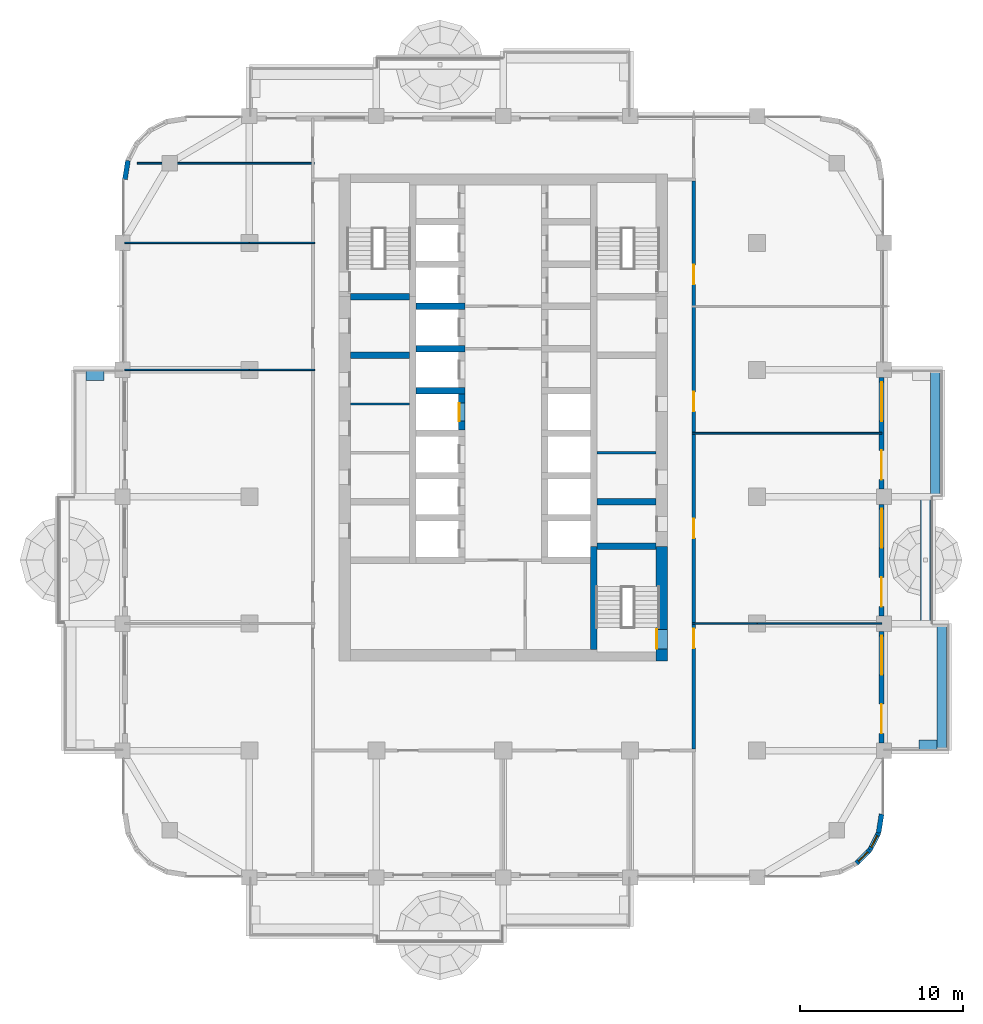
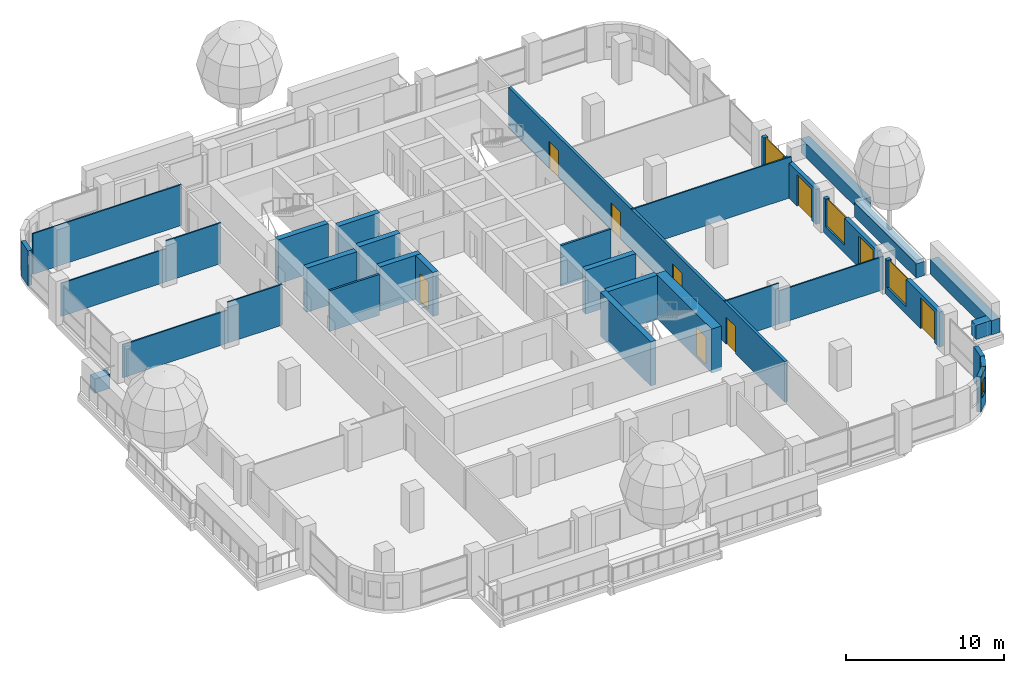
# One storey, part 12 of 21: 33 walls, 9 doors, 5 windows, 14 openings.
"""IFC4 building model written with IfcOpenShell, lengths in metres."""

from ifc_helpers import new_model, si_unit, direction, frame, frame_2d, origin, place, context, subcontext, project, spatial, rectangle, extrude, material, layer, layer_set, type_object, element, fill, save


model = new_model("IFC4")

# Units and contexts
model_context = context("Model", 3, precision=1e-05, world=origin(), true_north=direction((0.0, 1.0)))
body_context = subcontext(model_context, "Body", "Model", "MODEL_VIEW")
ifc_project = project(units=[si_unit("LENGTHUNIT", "METRE"), si_unit("AREAUNIT", "SQUARE_METRE"), si_unit("VOLUMEUNIT", "CUBIC_METRE"), si_unit("PLANEANGLEUNIT", "RADIAN"), si_unit("MASSUNIT", "GRAM", prefix="KILO")], contexts=[model_context])

# Site, building, storey
site_placement = place(None, origin())
site = spatial("IfcSite", under=ifc_project, at=site_placement, CompositionType="ELEMENT")
building_placement = place(site_placement, origin())
building = spatial("IfcBuilding", under=site, at=building_placement, Name="Ludao Terraces", CompositionType="ELEMENT")
storey_placement = place(building_placement, frame((0.0, 0.0, 71.60009765625)))
storey = spatial("IfcBuildingStorey", under=building, at=storey_placement, Name="L19", CompositionType="ELEMENT", Elevation=71.60009765625)

# Wall, opening, door
ifc_material_1 = material(Name="Concrete C70", Category="concrete")
ifc_layer_1 = layer(ifc_material_1, 0.699951171875)
ifc_layer_set_1 = layer_set([ifc_layer_1], Name="Core wall 700 C70")
wall_type_1 = type_object("IfcWallType", Name="Core wall 700 C70", PredefinedType="SOLIDWALL", material=ifc_layer_set_1)
wall_1_placement = place(storey_placement, frame((94.75, 54.89990234375, -0.25), z_axis=(0.0, 0.0, 1.0), x_axis=(0.0, 1.0, 0.0)))
wall_1 = element("IfcWall", 1, at=wall_1_placement, inside=storey, type_object=wall_type_1, Name="Core wall L19 outer-E-S3", PredefinedType="SOLIDWALL", context=body_context, shape_type="SweptSolid", body=[
    extrude(rectangle(XDim=7.050048828125, YDim=0.699951171875, at=frame_2d((3.52490234375, 0.0))), origin(), (0.0, 0.0, 1.0), 3.39990234375),
])
opening_1_placement = place(wall_1_placement, frame((0.75, 0.0, 0.25)))
opening_1 = element("IfcOpeningElement", 2, at=opening_1_placement, cuts=wall_1, Name="Opening C1-005", PredefinedType="OPENING", context=body_context, shape_type="SweptSolid", body=[
    extrude(rectangle(XDim=1.199951171875, YDim=2.10009765625, at=frame_2d((0.60009765625, 1.050048828125))), frame((0.0, 0.35986328125, 0.0), z_axis=(0.0, -1.0, 0.0), x_axis=(1.0, 0.0, 0.0)), (0.0, 0.0, 1.0), 0.719970703125),
])
ifc_material_2 = material(Name="Steel Q235", Category="steel")
door_type_1 = type_object("IfcDoorType", Name="INT Stair door 1200", OperationType="DOUBLE_DOOR_SINGLE_SWING", PredefinedType="DOOR", material=ifc_material_2)
door_1_placement = place(opening_1_placement, origin())
door_1 = element("IfcDoor", 3, at=door_1_placement, inside=storey, type_object=door_type_1, Name="DOOR 005", OperationType="DOUBLE_DOOR_SINGLE_SWING", OverallHeight=2.10009765625, OverallWidth=1.199951171875, PredefinedType="DOOR", context=body_context, shape_type="SweptSolid", body=[
    extrude(rectangle(XDim=1.199951171875, YDim=2.10009765625, at=frame_2d((0.60009765625, 1.050048828125))), frame((0.0, 0.3349609375, 0.0), z_axis=(0.0, -1.0, 0.0), x_axis=(1.0, 0.0, 0.0)), (0.0, 0.0, 1.0), 0.050048828125),
])
fill(opening_1, door_1)

# Walls
ifc_material_3 = material(Name="Concrete C40", Category="concrete")
ifc_layer_2 = layer(ifc_material_3, 0.60009765625)
ifc_layer_set_2 = layer_set([ifc_layer_2], Name="ENV Planter trough 600")
wall_type_2 = type_object("IfcWallType", Name="ENV Planter trough 600", PredefinedType="USERDEFINED", material=ifc_layer_set_2)
wall_2_placement = place(storey_placement, frame((111.949951171875, 49.39990234375, 0.0), z_axis=(0.0, 0.0, 1.0), x_axis=(0.0, 1.0, 0.0)))
element("IfcWall", 4, at=wall_2_placement, inside=storey, type_object=wall_type_2, Name="PL-L19-E1", ObjectType="PLANTER", PredefinedType="USERDEFINED", context=body_context, shape_type="SweptSolid", body=[
    extrude(rectangle(XDim=7.800048828125, YDim=0.60009765625, at=frame_2d((3.89990234375, 0.0))), origin(), (0.0, 0.0, 1.0), 1.099853515625),
])
wall_3_placement = place(storey_placement, frame((111.64990234375, 49.75, 0.0), z_axis=(0.0, 0.0, 1.0), x_axis=(-1.0, 0.0, 0.0)))
element("IfcWall", 5, at=wall_3_placement, inside=storey, type_object=wall_type_2, Name="PL-L19-E1-SA", ObjectType="PLANTER", PredefinedType="USERDEFINED", context=body_context, shape_type="SweptSolid", body=[
    extrude(rectangle(XDim=1.099853515625, YDim=0.60009765625, at=frame_2d((0.5498046875, 0.0))), origin(), (0.0, 0.0, 1.0), 1.099853515625),
])
for number, where, z_axis, x_axis, name in (
    (6, (110.949951171875, 57.199951171875, 0.0), (0.0, 0.0, 1.0), (0.0, 1.0, 0.0), "PL-L19-E2"),
    (7, (111.550048828125, 65.0, 0.0), (0.0, 0.0, 1.0), (0.0, 1.0, 0.0), "PL-L19-E3"),
):
    element("IfcWall", number, at=place(storey_placement, frame(where, z_axis=z_axis, x_axis=x_axis)), inside=storey, type_object=wall_type_2, Name=name, ObjectType="PLANTER", PredefinedType="USERDEFINED", context=body_context, shape_type="SweptSolid", body=[
        extrude(rectangle(XDim=7.800048828125, YDim=0.60009765625, at=frame_2d((3.89990234375, 0.0))), origin(), (0.0, 0.0, 1.0), 1.099853515625),
    ])
wall_4_placement = place(storey_placement, frame((59.35009765625, 72.449951171875, 0.0), z_axis=(0.0, 0.0, 1.0), x_axis=(1.0, 0.0, 0.0)))
element("IfcWall", 8, at=wall_4_placement, inside=storey, type_object=wall_type_2, Name="PL-L19-W3-SB", ObjectType="PLANTER", PredefinedType="USERDEFINED", context=body_context, shape_type="SweptSolid", body=[
    extrude(rectangle(XDim=1.099853515625, YDim=0.60009765625, at=frame_2d((0.5498046875, 0.0))), origin(), (0.0, 0.0, 1.0), 1.099853515625),
])

# Wall, openings, door, window
ifc_material_4 = material(Name="Granite cladding", Category="masonry")
ifc_layer_3 = layer(ifc_material_4, 0.0400390625, Category="stone")
ifc_material_5 = material(Name="Mineral wool")
ifc_layer_4 = layer(ifc_material_5, 0.06005859375)
ifc_layer_5 = layer(ifc_material_3, 0.199951171875, Category="concrete")
ifc_layer_set_3 = layer_set([ifc_layer_3, ifc_layer_4, ifc_layer_5], Name="ENV Stone-clad wall 300")
wall_type_3 = type_object("IfcWallType", Name="ENV Stone-clad wall 300", PredefinedType="SOLIDWALL", material=ifc_layer_set_3)
wall_5_placement = place(storey_placement, frame((108.25, 49.875, 0.0), z_axis=(0.0, 0.0, 1.0), x_axis=(0.0, 1.0, 0.0)))
wall_5 = element("IfcWall", 9, at=wall_5_placement, inside=storey, type_object=wall_type_3, Name="EW-L19-E2", PredefinedType="SOLIDWALL", context=body_context, shape_type="SweptSolid", body=[
    extrude(rectangle(XDim=6.85009765625, YDim=0.300048828125, at=frame_2d((3.425048828125, 0.0))), origin(), (0.0, 0.0, 1.0), 2.699951171875),
])
opening_2_placement = place(wall_5_placement, frame((0.574951171875, 0.0, 0.0)))
opening_2 = element("IfcOpeningElement", 10, at=opening_2_placement, cuts=wall_5, Name="Opening BD", PredefinedType="OPENING", context=body_context, shape_type="SweptSolid", body=[
    extrude(rectangle(XDim=1.800048828125, YDim=2.39990234375, at=frame_2d((0.89990234375, 1.199951171875))), frame((0.0, 0.16015625, 0.0), z_axis=(0.0, -1.0, 0.0), x_axis=(1.0, 0.0, 0.0)), (0.0, 0.0, 1.0), 0.320068359375),
])
opening_3_placement = place(wall_5_placement, frame((4.175048828125, 0.0, 0.60009765625)))
opening_3 = element("IfcOpeningElement", 11, at=opening_3_placement, cuts=wall_5, Name="Opening W4", PredefinedType="OPENING", context=body_context, shape_type="SweptSolid", body=[
    extrude(rectangle(XDim=2.39990234375, YDim=2.10009765625, at=frame_2d((1.199951171875, 1.050048828125))), frame((0.0, 0.16015625, 0.0), z_axis=(0.0, -1.0, 0.0), x_axis=(1.0, 0.0, 0.0)), (0.0, 0.0, 1.0), 0.320068359375),
])
ifc_material_6 = material(Name="Aluminium glazed door", Category="aluminium")
ifc_layer_6 = layer(ifc_material_6, 0.06005859375)
ifc_layer_set_4 = layer_set([ifc_layer_6], Name="ENV Balcony door BD 1800x2400")
door_type_2 = type_object("IfcDoorType", Name="ENV Balcony door BD 1800x2400", OperationType="DOUBLE_DOOR_SINGLE_SWING", PredefinedType="DOOR", material=ifc_layer_set_4)
door_2_placement = place(opening_2_placement, origin())
door_2 = element("IfcDoor", 12, at=door_2_placement, inside=storey, type_object=door_type_2, Name="BD-L19-E2-1", OperationType="DOUBLE_DOOR_SINGLE_SWING", OverallHeight=2.39990234375, OverallWidth=1.800048828125, PredefinedType="DOOR", context=body_context, shape_type="SweptSolid", body=[
    extrude(rectangle(XDim=1.800048828125, YDim=2.39990234375, at=frame_2d((0.89990234375, 1.199951171875))), frame((0.0, 0.02490234375, 0.0), z_axis=(0.0, -1.0, 0.0), x_axis=(1.0, 0.0, 0.0)), (0.0, 0.0, 1.0), 0.050048828125),
])
fill(opening_2, door_2)
ifc_material_7 = material(Name="Clear glass in aluminium frame", Category="aluminium")
ifc_layer_7 = layer(ifc_material_7, 0.06005859375)
ifc_layer_set_5 = layer_set([ifc_layer_7], Name="ENV Window W4 2400x2100")
window_type_1 = type_object("IfcWindowType", Name="ENV Window W4 2400x2100", PartitioningType="SINGLE_PANEL", PredefinedType="WINDOW", material=ifc_layer_set_5)
window_1_placement = place(opening_3_placement, origin())
window_1 = element("IfcWindow", 13, at=window_1_placement, inside=storey, type_object=window_type_1, Name="W-L19-E2-2", OverallHeight=2.10009765625, OverallWidth=2.39990234375, PartitioningType="SINGLE_PANEL", PredefinedType="WINDOW", context=body_context, shape_type="SweptSolid", body=[
    extrude(rectangle(XDim=2.39990234375, YDim=2.10009765625, at=frame_2d((1.199951171875, 1.050048828125))), frame((0.0, 0.030029296875, 0.0), z_axis=(0.0, -1.0, 0.0), x_axis=(1.0, 0.0, 0.0)), (0.0, 0.0, 1.0), 0.06005859375),
])
fill(opening_3, window_1)

wall_6_placement = place(storey_placement, frame((108.25, 57.675048828125, 0.0), z_axis=(0.0, 0.0, 1.0), x_axis=(0.0, 1.0, 0.0)))
wall_6 = element("IfcWall", 14, at=wall_6_placement, inside=storey, type_object=wall_type_3, Name="EW-L19-E3", PredefinedType="SOLIDWALL", context=body_context, shape_type="SweptSolid", body=[
    extrude(rectangle(XDim=6.849853515625, YDim=0.300048828125, at=frame_2d((3.4248046875, 0.0))), origin(), (0.0, 0.0, 1.0), 2.699951171875),
])
opening_4_placement = place(wall_6_placement, frame((0.574951171875, 0.0, 0.0)))
opening_4 = element("IfcOpeningElement", 15, at=opening_4_placement, cuts=wall_6, Name="Opening BD", PredefinedType="OPENING", context=body_context, shape_type="SweptSolid", body=[
    extrude(rectangle(XDim=1.800048828125, YDim=2.39990234375, at=frame_2d((0.89990234375, 1.199951171875))), frame((0.0, 0.16015625, 0.0), z_axis=(0.0, -1.0, 0.0), x_axis=(1.0, 0.0, 0.0)), (0.0, 0.0, 1.0), 0.320068359375),
])
opening_5_placement = place(wall_6_placement, frame((4.175048828125, 0.0, 0.60009765625)))
opening_5 = element("IfcOpeningElement", 16, at=opening_5_placement, cuts=wall_6, Name="Opening W4", PredefinedType="OPENING", context=body_context, shape_type="SweptSolid", body=[
    extrude(rectangle(XDim=2.39990234375, YDim=2.10009765625, at=frame_2d((1.199951171875, 1.050048828125))), frame((0.0, 0.16015625, 0.0), z_axis=(0.0, -1.0, 0.0), x_axis=(1.0, 0.0, 0.0)), (0.0, 0.0, 1.0), 0.320068359375),
])
door_3_placement = place(opening_4_placement, origin())
door_3 = element("IfcDoor", 17, at=door_3_placement, inside=storey, type_object=door_type_2, Name="BD-L19-E3-1", OperationType="DOUBLE_DOOR_SINGLE_SWING", OverallHeight=2.39990234375, OverallWidth=1.800048828125, PredefinedType="DOOR", context=body_context, shape_type="SweptSolid", body=[
    extrude(rectangle(XDim=1.800048828125, YDim=2.39990234375, at=frame_2d((0.89990234375, 1.199951171875))), frame((0.0, 0.02490234375, 0.0), z_axis=(0.0, -1.0, 0.0), x_axis=(1.0, 0.0, 0.0)), (0.0, 0.0, 1.0), 0.050048828125),
])
fill(opening_4, door_3)
window_2_placement = place(opening_5_placement, origin())
window_2 = element("IfcWindow", 18, at=window_2_placement, inside=storey, type_object=window_type_1, Name="W-L19-E3-2", OverallHeight=2.10009765625, OverallWidth=2.39990234375, PartitioningType="SINGLE_PANEL", PredefinedType="WINDOW", context=body_context, shape_type="SweptSolid", body=[
    extrude(rectangle(XDim=2.39990234375, YDim=2.10009765625, at=frame_2d((1.199951171875, 1.050048828125))), frame((0.0, 0.030029296875, 0.0), z_axis=(0.0, -1.0, 0.0), x_axis=(1.0, 0.0, 0.0)), (0.0, 0.0, 1.0), 0.06005859375),
])
fill(opening_5, window_2)

wall_7_placement = place(storey_placement, frame((108.25, 65.47509765625, 0.0), z_axis=(0.0, 0.0, 1.0), x_axis=(0.0, 1.0, 0.0)))
wall_7 = element("IfcWall", 19, at=wall_7_placement, inside=storey, type_object=wall_type_3, Name="EW-L19-E4", PredefinedType="SOLIDWALL", context=body_context, shape_type="SweptSolid", body=[
    extrude(rectangle(XDim=6.849853515625, YDim=0.300048828125, at=frame_2d((3.4248046875, 0.0))), origin(), (0.0, 0.0, 1.0), 2.699951171875),
])
opening_6_placement = place(wall_7_placement, frame((0.574951171875, 0.0, 0.0)))
opening_6 = element("IfcOpeningElement", 20, at=opening_6_placement, cuts=wall_7, Name="Opening BD", PredefinedType="OPENING", context=body_context, shape_type="SweptSolid", body=[
    extrude(rectangle(XDim=1.800048828125, YDim=2.39990234375, at=frame_2d((0.89990234375, 1.199951171875))), frame((0.0, 0.16015625, 0.0), z_axis=(0.0, -1.0, 0.0), x_axis=(1.0, 0.0, 0.0)), (0.0, 0.0, 1.0), 0.320068359375),
])
opening_7_placement = place(wall_7_placement, frame((4.175048828125, 0.0, 0.60009765625)))
opening_7 = element("IfcOpeningElement", 21, at=opening_7_placement, cuts=wall_7, Name="Opening W4", PredefinedType="OPENING", context=body_context, shape_type="SweptSolid", body=[
    extrude(rectangle(XDim=2.39990234375, YDim=2.10009765625, at=frame_2d((1.199951171875, 1.050048828125))), frame((0.0, 0.16015625, 0.0), z_axis=(0.0, -1.0, 0.0), x_axis=(1.0, 0.0, 0.0)), (0.0, 0.0, 1.0), 0.320068359375),
])
door_4_placement = place(opening_6_placement, origin())
door_4 = element("IfcDoor", 22, at=door_4_placement, inside=storey, type_object=door_type_2, Name="BD-L19-E4-1", OperationType="DOUBLE_DOOR_SINGLE_SWING", OverallHeight=2.39990234375, OverallWidth=1.800048828125, PredefinedType="DOOR", context=body_context, shape_type="SweptSolid", body=[
    extrude(rectangle(XDim=1.800048828125, YDim=2.39990234375, at=frame_2d((0.89990234375, 1.199951171875))), frame((0.0, 0.02490234375, 0.0), z_axis=(0.0, -1.0, 0.0), x_axis=(1.0, 0.0, 0.0)), (0.0, 0.0, 1.0), 0.050048828125),
])
fill(opening_6, door_4)
window_3_placement = place(opening_7_placement, origin())
window_3 = element("IfcWindow", 23, at=window_3_placement, inside=storey, type_object=window_type_1, Name="W-L19-E4-2", OverallHeight=2.10009765625, OverallWidth=2.39990234375, PartitioningType="SINGLE_PANEL", PredefinedType="WINDOW", context=body_context, shape_type="SweptSolid", body=[
    extrude(rectangle(XDim=2.39990234375, YDim=2.10009765625, at=frame_2d((1.199951171875, 1.050048828125))), frame((0.0, 0.030029296875, 0.0), z_axis=(0.0, -1.0, 0.0), x_axis=(1.0, 0.0, 0.0)), (0.0, 0.0, 1.0), 0.06005859375),
])
fill(opening_7, window_3)

# Wall, opening, window
wall_8_placement = place(storey_placement, frame((106.7041015625, 42.46630859375, 0.0), z_axis=(0.0, 0.0, 1.0), x_axis=(0.707106781187, 0.707106781187, 0.0)))
wall_8 = element("IfcWall", 24, at=wall_8_placement, inside=storey, type_object=wall_type_3, Name="EW-L19-SE3", PredefinedType="SOLIDWALL", context=body_context, shape_type="SweptSolid", body=[
    extrude(rectangle(XDim=1.173095703125, YDim=0.300048828125, at=frame_2d((0.58642578125, 0.0))), origin(), (0.0, 0.0, 1.0), 2.699951171875),
])
opening_8_placement = place(wall_8_placement, frame((0.1865234375, 0.0, 0.89990234375)))
opening_8 = element("IfcOpeningElement", 25, at=opening_8_placement, cuts=wall_8, Name="Opening W3", PredefinedType="OPENING", context=body_context, shape_type="SweptSolid", body=[
    extrude(rectangle(XDim=0.800048828125, YDim=1.199951171875, at=frame_2d((0.39990234375, 0.60009765625))), frame((0.0, 0.16015625, 0.0), z_axis=(0.0, -1.0, 0.0), x_axis=(1.0, 0.0, 0.0)), (0.0, 0.0, 1.0), 0.320068359375),
])
ifc_layer_8 = layer(ifc_material_7, 0.06005859375)
ifc_layer_set_6 = layer_set([ifc_layer_8], Name="ENV Window W3 800x1200")
window_type_2 = type_object("IfcWindowType", Name="ENV Window W3 800x1200", PartitioningType="SINGLE_PANEL", PredefinedType="WINDOW", material=ifc_layer_set_6)
window_4_placement = place(opening_8_placement, origin())
window_4 = element("IfcWindow", 26, at=window_4_placement, inside=storey, type_object=window_type_2, Name="W-L19-SE3", OverallHeight=1.199951171875, OverallWidth=0.800048828125, PartitioningType="SINGLE_PANEL", PredefinedType="WINDOW", context=body_context, shape_type="SweptSolid", body=[
    extrude(rectangle(XDim=0.800048828125, YDim=1.199951171875, at=frame_2d((0.39990234375, 0.60009765625))), frame((0.0, 0.030029296875, 0.0), z_axis=(0.0, -1.0, 0.0), x_axis=(1.0, 0.0, 0.0)), (0.0, 0.0, 1.0), 0.06005859375),
])
fill(opening_8, window_4)

wall_9_placement = place(storey_placement, frame((107.53369140625, 43.2958984375, 0.0), z_axis=(0.0, 0.0, 1.0), x_axis=(0.454025524128, 0.890988677504, 0.0)))
wall_9 = element("IfcWall", 27, at=wall_9_placement, inside=storey, type_object=wall_type_3, Name="EW-L19-SE4", PredefinedType="SOLIDWALL", context=body_context, shape_type="SweptSolid", body=[
    extrude(rectangle(XDim=1.17333984375, YDim=0.300048828125, at=frame_2d((0.586669921875, 0.0))), origin(), (0.0, 0.0, 1.0), 2.699951171875),
])
opening_9_placement = place(wall_9_placement, frame((0.1865234375, 0.0, 0.89990234375)))
opening_9 = element("IfcOpeningElement", 28, at=opening_9_placement, cuts=wall_9, Name="Opening W3", PredefinedType="OPENING", context=body_context, shape_type="SweptSolid", body=[
    extrude(rectangle(XDim=0.800048828125, YDim=1.199951171875, at=frame_2d((0.39990234375, 0.60009765625))), frame((0.0, 0.16015625, 0.0), z_axis=(0.0, -1.0, 0.0), x_axis=(1.0, 0.0, 0.0)), (0.0, 0.0, 1.0), 0.320068359375),
])
window_5_placement = place(opening_9_placement, origin())
window_5 = element("IfcWindow", 29, at=window_5_placement, inside=storey, type_object=window_type_2, Name="W-L19-SE4", OverallHeight=1.199951171875, OverallWidth=0.800048828125, PartitioningType="SINGLE_PANEL", PredefinedType="WINDOW", context=body_context, shape_type="SweptSolid", body=[
    extrude(rectangle(XDim=0.800048828125, YDim=1.199951171875, at=frame_2d((0.39990234375, 0.60009765625))), frame((0.0, 0.030029296875, 0.0), z_axis=(0.0, -1.0, 0.0), x_axis=(1.0, 0.0, 0.0)), (0.0, 0.0, 1.0), 0.06005859375),
])
fill(opening_9, window_5)

# Walls
for number, where, z_axis, x_axis, name in (
    (30, (108.06640625, 44.34130859375, 0.0), (0.0, 0.0, 1.0), (0.156496880861, 0.987678452879, 0.0), "EW-L19-SE5"),
    (31, (61.93359375, 85.65869140625, 0.0), (0.0, 0.0, 1.0), (-0.156496880861, -0.987678452879, 0.0), "EW-L19-NW5"),
):
    element("IfcWall", number, at=place(storey_placement, frame(where, z_axis=z_axis, x_axis=x_axis)), inside=storey, type_object=wall_type_3, Name=name, PredefinedType="SOLIDWALL", context=body_context, shape_type="SweptSolid", body=[
        extrude(rectangle(XDim=1.173095703125, YDim=0.300048828125, at=frame_2d((0.58642578125, 0.0))), origin(), (0.0, 0.0, 1.0), 2.699951171875),
    ])
ifc_material_8 = material(Name="Fire-rated gypsum plasterboard", Category="gypsum")
ifc_layer_9 = layer(ifc_material_8, 0.012451171875, Category="gypsum")
ifc_layer_10 = layer(ifc_material_5, 0.10009765625, Name="insulation")
ifc_layer_11 = layer(ifc_material_2, 0.02490234375, Name="stud")
ifc_layer_12 = layer(ifc_material_8, 0.012451171875, Category="gypsum")
ifc_layer_set_7 = layer_set([ifc_layer_9, ifc_layer_10, ifc_layer_11, ifc_layer_12], Name="INT Core partition 150")
wall_type_4 = type_object("IfcWallType", Name="INT Core partition 150", PredefinedType="PARTITIONING", material=ifc_layer_set_7)
wall_10_placement = place(storey_placement, frame((90.75, 67.699951171875, 0.0), z_axis=(0.0, 0.0, 1.0), x_axis=(1.0, 0.0, 0.0)))
element("IfcWall", 32, at=wall_10_placement, inside=storey, type_object=wall_type_4, Name="PW-L19-PW005", PredefinedType="PARTITIONING", context=body_context, shape_type="SweptSolid", body=[
    extrude(rectangle(XDim=3.650146484375, YDim=0.14990234375, at=frame_2d((1.8251953125, 0.0))), origin(), (0.0, 0.0, 1.0), 3.14990234375),
])
wall_11_placement = place(storey_placement, frame((75.60009765625, 70.699951171875, 0.0), z_axis=(0.0, 0.0, 1.0), x_axis=(1.0, 0.0, 0.0)))
element("IfcWall", 33, at=wall_11_placement, inside=storey, type_object=wall_type_4, Name="PW-L19-PW007", PredefinedType="PARTITIONING", context=body_context, shape_type="SweptSolid", body=[
    extrude(rectangle(XDim=3.64990234375, YDim=0.14990234375, at=frame_2d((1.824951171875, 0.0))), origin(), (0.0, 0.0, 1.0), 3.14990234375),
])

# Wall, openings, doors
ifc_material_9 = material(Name="Autoclaved aerated concrete block B06 A3.5", Category="concrete")
ifc_layer_13 = layer(ifc_material_9, 0.199951171875)
ifc_layer_set_8 = layer_set([ifc_layer_13], Name="INT Entrance wall 200")
wall_type_5 = type_object("IfcWallType", Name="INT Entrance wall 200", PredefinedType="PARTITIONING", material=ifc_layer_set_8)
wall_12_placement = place(storey_placement, frame((96.699951171875, 49.5, 0.0), z_axis=(0.0, 0.0, 1.0), x_axis=(0.0, 1.0, 0.0)))
wall_12 = element("IfcWall", 34, at=wall_12_placement, inside=storey, type_object=wall_type_5, Name="PW-L19-PW023", PredefinedType="PARTITIONING", context=body_context, shape_type="SweptSolid", body=[
    extrude(rectangle(XDim=34.900146484375, YDim=0.199951171875, at=frame_2d((17.4501953125, 0.0))), origin(), (0.0, 0.0, 1.0), 3.14990234375),
])
opening_10_placement = place(wall_12_placement, frame((6.2001953125, 0.0, 0.0)))
opening_10 = element("IfcOpeningElement", 35, at=opening_10_placement, cuts=wall_12, Name="Opening C1-007", PredefinedType="OPENING", context=body_context, shape_type="SweptSolid", body=[
    extrude(rectangle(XDim=1.199951171875, YDim=2.10009765625, at=frame_2d((0.60009765625, 1.050048828125))), frame((0.0, 0.10986328125, 0.0), z_axis=(0.0, -1.0, 0.0), x_axis=(1.0, 0.0, 0.0)), (0.0, 0.0, 1.0), 0.219970703125),
])
opening_11_placement = place(wall_12_placement, frame((12.9501953125, 0.0, 0.0)))
opening_11 = element("IfcOpeningElement", 36, at=opening_11_placement, cuts=wall_12, Name="Opening C1-013", PredefinedType="OPENING", context=body_context, shape_type="SweptSolid", body=[
    extrude(rectangle(XDim=1.199951171875, YDim=2.10009765625, at=frame_2d((0.60009765625, 1.050048828125))), frame((0.0, 0.10986328125, 0.0), z_axis=(0.0, -1.0, 0.0), x_axis=(1.0, 0.0, 0.0)), (0.0, 0.0, 1.0), 0.219970703125),
])
opening_12_placement = place(wall_12_placement, frame((20.75, 0.0, 0.0)))
opening_12 = element("IfcOpeningElement", 37, at=opening_12_placement, cuts=wall_12, Name="Opening C1-022", PredefinedType="OPENING", context=body_context, shape_type="SweptSolid", body=[
    extrude(rectangle(XDim=1.199951171875, YDim=2.10009765625, at=frame_2d((0.60009765625, 1.050048828125))), frame((0.0, 0.10986328125, 0.0), z_axis=(0.0, -1.0, 0.0), x_axis=(1.0, 0.0, 0.0)), (0.0, 0.0, 1.0), 0.219970703125),
])
opening_13_placement = place(wall_12_placement, frame((28.550048828125, 0.0, 0.0)))
opening_13 = element("IfcOpeningElement", 38, at=opening_13_placement, cuts=wall_12, Name="Opening C1-037", PredefinedType="OPENING", context=body_context, shape_type="SweptSolid", body=[
    extrude(rectangle(XDim=1.199951171875, YDim=2.10009765625, at=frame_2d((0.60009765625, 1.050048828125))), frame((0.0, 0.10986328125, 0.0), z_axis=(0.0, -1.0, 0.0), x_axis=(1.0, 0.0, 0.0)), (0.0, 0.0, 1.0), 0.219970703125),
])
ifc_material_10 = material(Name="Timber door leaf", Category="wood")
door_type_3 = type_object("IfcDoorType", Name="INT Double door 1200", OperationType="DOUBLE_DOOR_SINGLE_SWING", PredefinedType="DOOR", material=ifc_material_10)
door_5_placement = place(opening_10_placement, origin())
door_5 = element("IfcDoor", 39, at=door_5_placement, inside=storey, type_object=door_type_3, Name="DOOR 007", OperationType="DOUBLE_DOOR_SINGLE_SWING", OverallHeight=2.10009765625, OverallWidth=1.199951171875, PredefinedType="DOOR", context=body_context, shape_type="SweptSolid", body=[
    extrude(rectangle(XDim=1.199951171875, YDim=2.10009765625, at=frame_2d((0.60009765625, 1.050048828125))), frame((0.0, 0.02490234375, 0.0), z_axis=(0.0, -1.0, 0.0), x_axis=(1.0, 0.0, 0.0)), (0.0, 0.0, 1.0), 0.050048828125),
])
fill(opening_10, door_5)
door_6_placement = place(opening_11_placement, origin())
door_6 = element("IfcDoor", 40, at=door_6_placement, inside=storey, type_object=door_type_3, Name="DOOR 013", OperationType="DOUBLE_DOOR_SINGLE_SWING", OverallHeight=2.10009765625, OverallWidth=1.199951171875, PredefinedType="DOOR", context=body_context, shape_type="SweptSolid", body=[
    extrude(rectangle(XDim=1.199951171875, YDim=2.10009765625, at=frame_2d((0.60009765625, 1.050048828125))), frame((0.0, 0.02490234375, 0.0), z_axis=(0.0, -1.0, 0.0), x_axis=(1.0, 0.0, 0.0)), (0.0, 0.0, 1.0), 0.050048828125),
])
fill(opening_11, door_6)
door_7_placement = place(opening_12_placement, origin())
door_7 = element("IfcDoor", 41, at=door_7_placement, inside=storey, type_object=door_type_3, Name="DOOR 022", OperationType="DOUBLE_DOOR_SINGLE_SWING", OverallHeight=2.10009765625, OverallWidth=1.199951171875, PredefinedType="DOOR", context=body_context, shape_type="SweptSolid", body=[
    extrude(rectangle(XDim=1.199951171875, YDim=2.10009765625, at=frame_2d((0.60009765625, 1.050048828125))), frame((0.0, 0.02490234375, 0.0), z_axis=(0.0, -1.0, 0.0), x_axis=(1.0, 0.0, 0.0)), (0.0, 0.0, 1.0), 0.050048828125),
])
fill(opening_12, door_7)
door_8_placement = place(opening_13_placement, origin())
door_8 = element("IfcDoor", 42, at=door_8_placement, inside=storey, type_object=door_type_3, Name="DOOR 037", OperationType="DOUBLE_DOOR_SINGLE_SWING", OverallHeight=2.10009765625, OverallWidth=1.199951171875, PredefinedType="DOOR", context=body_context, shape_type="SweptSolid", body=[
    extrude(rectangle(XDim=1.199951171875, YDim=2.10009765625, at=frame_2d((0.60009765625, 1.050048828125))), frame((0.0, 0.02490234375, 0.0), z_axis=(0.0, -1.0, 0.0), x_axis=(1.0, 0.0, 0.0)), (0.0, 0.0, 1.0), 0.050048828125),
])
fill(opening_13, door_8)

# Walls
ifc_material_11 = material(Name="Gypsum plasterboard", Category="gypsum")
ifc_layer_14 = layer(ifc_material_11, 0.012451171875, Category="gypsum")
ifc_layer_15 = layer(ifc_material_5, 0.06005859375, Name="insulation")
ifc_layer_16 = layer(ifc_material_2, 0.014892578125, Name="stud")
ifc_layer_17 = layer(ifc_material_11, 0.012451171875, Category="gypsum")
ifc_layer_set_9 = layer_set([ifc_layer_14, ifc_layer_15, ifc_layer_16, ifc_layer_17], Name="INT Partition 100")
wall_type_6 = type_object("IfcWallType", Name="INT Partition 100", PredefinedType="PARTITIONING", material=ifc_layer_set_9)
wall_13_placement = place(storey_placement, frame((96.60009765625, 57.199951171875, 0.0), z_axis=(0.0, 0.0, 1.0), x_axis=(1.0, 0.0, 0.0)))
element("IfcWall", 43, at=wall_13_placement, inside=storey, type_object=wall_type_6, Name="PW-L19-PW002", PredefinedType="PARTITIONING", context=body_context, shape_type="SweptSolid", body=[
    extrude(rectangle(XDim=4.0, YDim=0.10009765625, at=frame_2d((2.0, 0.0))), origin(), (0.0, 0.0, 1.0), 3.14990234375),
])
wall_14_placement = place(storey_placement, frame((100.60009765625, 57.199951171875, 0.0), z_axis=(0.0, 0.0, 1.0), x_axis=(1.0, 0.0, 0.0)))
element("IfcWall", 44, at=wall_14_placement, inside=storey, type_object=wall_type_6, Name="PW-L19-PW002-2", PredefinedType="PARTITIONING", context=body_context, shape_type="SweptSolid", body=[
    extrude(rectangle(XDim=7.664794921875, YDim=0.10009765625, at=frame_2d((3.83251953125, 0.0))), origin(), (0.0, 0.0, 1.0), 2.5498046875),
])
wall_15_placement = place(storey_placement, frame((96.60009765625, 68.89990234375, 0.0), z_axis=(0.0, 0.0, 1.0), x_axis=(1.0, 0.0, 0.0)))
element("IfcWall", 45, at=wall_15_placement, inside=storey, type_object=wall_type_6, Name="PW-L19-PW006", PredefinedType="PARTITIONING", context=body_context, shape_type="SweptSolid", body=[
    extrude(rectangle(XDim=11.664794921875, YDim=0.10009765625, at=frame_2d((5.83251953125, 0.0))), origin(), (0.0, 0.0, 1.0), 3.14990234375),
])
wall_16_placement = place(storey_placement, frame((61.735107421875, 72.800048828125, 0.0), z_axis=(0.0, 0.0, 1.0), x_axis=(1.0, 0.0, 0.0)))
element("IfcWall", 46, at=wall_16_placement, inside=storey, type_object=wall_type_6, Name="PW-L19-PW008", PredefinedType="PARTITIONING", context=body_context, shape_type="SweptSolid", body=[
    extrude(rectangle(XDim=7.664794921875, YDim=0.10009765625, at=frame_2d((3.83251953125, 0.0))), origin(), (0.0, 0.0, 1.0), 2.5498046875),
])
wall_17_placement = place(storey_placement, frame((69.39990234375, 72.800048828125, 0.0), z_axis=(0.0, 0.0, 1.0), x_axis=(1.0, 0.0, 0.0)))
element("IfcWall", 47, at=wall_17_placement, inside=storey, type_object=wall_type_6, Name="PW-L19-PW008-2", PredefinedType="PARTITIONING", context=body_context, shape_type="SweptSolid", body=[
    extrude(rectangle(XDim=4.000244140625, YDim=0.10009765625, at=frame_2d((2.0, 0.0))), origin(), (0.0, 0.0, 1.0), 3.14990234375),
])
wall_18_placement = place(storey_placement, frame((61.735107421875, 80.60009765625, 0.0), z_axis=(0.0, 0.0, 1.0), x_axis=(1.0, 0.0, 0.0)))
element("IfcWall", 48, at=wall_18_placement, inside=storey, type_object=wall_type_6, Name="PW-L19-PW012", PredefinedType="PARTITIONING", context=body_context, shape_type="SweptSolid", body=[
    extrude(rectangle(XDim=7.664794921875, YDim=0.10009765625, at=frame_2d((3.83251953125, 0.0))), origin(), (0.0, 0.0, 1.0), 2.5498046875),
])
wall_19_placement = place(storey_placement, frame((69.39990234375, 80.60009765625, 0.0), z_axis=(0.0, 0.0, 1.0), x_axis=(1.0, 0.0, 0.0)))
element("IfcWall", 49, at=wall_19_placement, inside=storey, type_object=wall_type_6, Name="PW-L19-PW012-2", PredefinedType="PARTITIONING", context=body_context, shape_type="SweptSolid", body=[
    extrude(rectangle(XDim=4.000244140625, YDim=0.10009765625, at=frame_2d((2.0, 0.0))), origin(), (0.0, 0.0, 1.0), 3.14990234375),
])
wall_20_placement = place(storey_placement, frame((62.510009765625, 85.5, 0.0), z_axis=(0.0, 0.0, 1.0), x_axis=(1.0, 0.0, 0.0)))
element("IfcWall", 50, at=wall_20_placement, inside=storey, type_object=wall_type_6, Name="PW-L19-PW015", PredefinedType="PARTITIONING", context=body_context, shape_type="SweptSolid", body=[
    extrude(rectangle(XDim=10.864990234375, YDim=0.10009765625, at=frame_2d((5.4326171875, 0.0))), origin(), (0.0, 0.0, 1.0), 3.14990234375),
])
ifc_material_12 = material(Name="Concrete C60", Category="concrete")
ifc_layer_18 = layer(ifc_material_12, 0.39990234375)
ifc_layer_set_10 = layer_set([ifc_layer_18], Name="Shaft wall 400 C60")
wall_type_7 = type_object("IfcWallType", Name="Shaft wall 400 C60", PredefinedType="SOLIDWALL", material=ifc_layer_set_10)
wall_21_placement = place(storey_placement, frame((90.550048828125, 55.60009765625, -0.25), z_axis=(0.0, 0.0, 1.0), x_axis=(0.0, 1.0, 0.0)))
element("IfcWall", 51, at=wall_21_placement, inside=storey, type_object=wall_type_7, Name="Core wall L19 back-E-S3", PredefinedType="SOLIDWALL", context=body_context, shape_type="SweptSolid", body=[
    extrude(rectangle(XDim=6.349853515625, YDim=0.39990234375, at=frame_2d((3.1748046875, 0.0))), origin(), (0.0, 0.0, 1.0), 3.39990234375),
])

# Wall, opening, door
wall_22_placement = place(storey_placement, frame((82.449951171875, 69.10009765625, -0.25), z_axis=(0.0, 0.0, 1.0), x_axis=(0.0, 1.0, 0.0)))
wall_22 = element("IfcWall", 52, at=wall_22_placement, inside=storey, type_object=wall_type_7, Name="Core wall L19 front-W4", PredefinedType="SOLIDWALL", context=body_context, shape_type="SweptSolid", body=[
    extrude(rectangle(XDim=2.199951171875, YDim=0.39990234375, at=frame_2d((1.10009765625, 0.0))), origin(), (0.0, 0.0, 1.0), 3.39990234375),
])
opening_14_placement = place(wall_22_placement, frame((0.550048828125, 0.0, 0.25)))
opening_14 = element("IfcOpeningElement", 53, at=opening_14_placement, cuts=wall_22, Name="Opening LD-LA4", PredefinedType="OPENING", context=body_context, shape_type="SweptSolid", body=[
    extrude(rectangle(XDim=1.10009765625, YDim=2.10009765625, at=frame_2d((0.550048828125, 1.050048828125))), frame((0.0, 0.2099609375, 0.0), z_axis=(0.0, -1.0, 0.0), x_axis=(1.0, 0.0, 0.0)), (0.0, 0.0, 1.0), 0.419921875),
])
ifc_material_13 = material(Name="Stainless steel 304", Category="steel")
door_type_4 = type_object("IfcDoorType", Name="INT Lift landing door 1100", OperationType="SLIDING_TO_LEFT", PredefinedType="DOOR", material=ifc_material_13)
door_9_placement = place(opening_14_placement, origin())
door_9 = element("IfcDoor", 54, at=door_9_placement, inside=storey, type_object=door_type_4, Name="LANDING DOOR LA4 L19", OperationType="SLIDING_TO_LEFT", OverallHeight=2.10009765625, OverallWidth=1.10009765625, PredefinedType="DOOR", context=body_context, shape_type="SweptSolid", body=[
    extrude(rectangle(XDim=1.10009765625, YDim=2.10009765625, at=frame_2d((0.550048828125, 1.050048828125))), frame((0.0, 0.18505859375, 0.0), z_axis=(0.0, -1.0, 0.0), x_axis=(1.0, 0.0, 0.0)), (0.0, 0.0, 1.0), 0.050048828125),
])
fill(opening_14, door_9)

# Walls
for number, where, z_axis, x_axis, name in (
    (55, (79.64990234375, 71.5, -0.25), (0.0, 0.0, 1.0), (1.0, 0.0, 0.0), "Core wall L19 div-W5"),
    (56, (79.64990234375, 74.10009765625, -0.25), (0.0, 0.0, 1.0), (1.0, 0.0, 0.0), "Core wall L19 div-W6"),
    (57, (79.64990234375, 76.699951171875, -0.25), (0.0, 0.0, 1.0), (1.0, 0.0, 0.0), "Core wall L19 div-W7"),
):
    element("IfcWall", number, at=place(storey_placement, frame(where, z_axis=z_axis, x_axis=x_axis)), inside=storey, type_object=wall_type_7, Name=name, PredefinedType="SOLIDWALL", context=body_context, shape_type="SweptSolid", body=[
        extrude(rectangle(XDim=3.0, YDim=0.39990234375, at=frame_2d((1.5, 0.0))), origin(), (0.0, 0.0, 1.0), 3.39990234375),
    ])
for number, where, z_axis, x_axis, name in (
    (58, (75.60009765625, 73.699951171875, -0.25), (0.0, 0.0, 1.0), (1.0, 0.0, 0.0), "Core wall L19 riser-b-W"),
    (59, (75.60009765625, 77.300048828125, -0.25), (0.0, 0.0, 1.0), (1.0, 0.0, 0.0), "Core wall L19 stair-W"),
    (60, (90.75, 61.949951171875, -0.25), (0.0, 0.0, 1.0), (1.0, 0.0, 0.0), "Core wall L19 hall-E"),
    (61, (90.75, 64.699951171875, -0.25), (0.0, 0.0, 1.0), (1.0, 0.0, 0.0), "Core wall L19 riser-a-E"),
):
    element("IfcWall", number, at=place(storey_placement, frame(where, z_axis=z_axis, x_axis=x_axis)), inside=storey, type_object=wall_type_7, Name=name, PredefinedType="SOLIDWALL", context=body_context, shape_type="SweptSolid", body=[
        extrude(rectangle(XDim=3.64990234375, YDim=0.39990234375, at=frame_2d((1.824951171875, 0.0))), origin(), (0.0, 0.0, 1.0), 3.39990234375),
    ])

save(model, "model.ifc")
